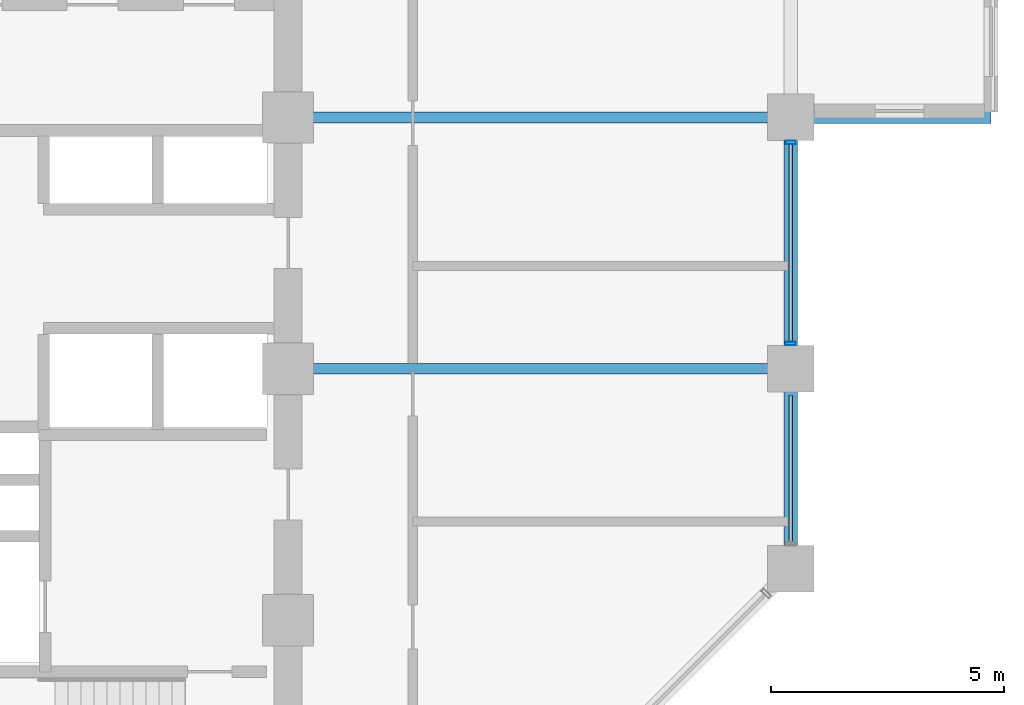
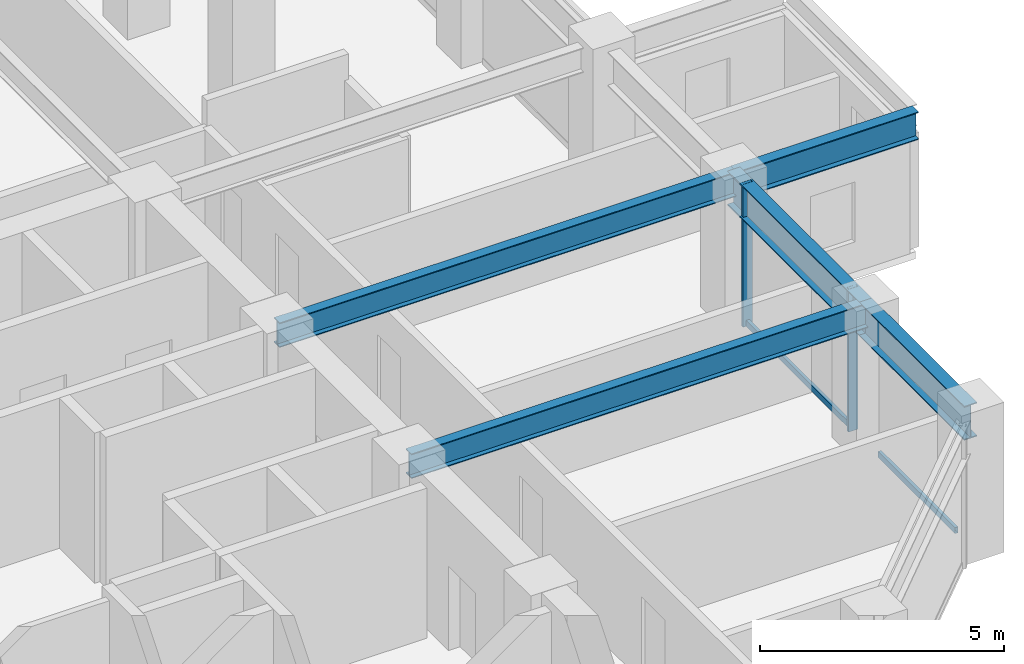
# One storey, part 9 of 29: 5 beams, 4 members, 1 element without a shape of its own.
"""IFC4 building model written with IfcOpenShell, lengths in metres."""

from ifc_helpers import new_model, si_unit, direction, frame, origin, origin_2d, place, context, subcontext, project, spatial, hollow_rectangle, i_section, extrude, material, layer, layer_set, material_profile, profile_set, type_object, element, aggregate, save


model = new_model("IFC4")

# Units and contexts
model_context = context("Model", 3, precision=1e-05, world=origin(), true_north=direction((0.0, 1.0)))
body_context = subcontext(model_context, "Body", "Model", "MODEL_VIEW")
ifc_project = project(units=[si_unit("LENGTHUNIT", "METRE"), si_unit("AREAUNIT", "SQUARE_METRE"), si_unit("VOLUMEUNIT", "CUBIC_METRE"), si_unit("PLANEANGLEUNIT", "RADIAN"), si_unit("MASSUNIT", "GRAM", prefix="KILO")], contexts=[model_context])

# Site, building, storey
site_placement = place(None, origin())
site = spatial("IfcSite", under=ifc_project, at=site_placement, CompositionType="ELEMENT")
building_placement = place(site_placement, origin())
building = spatial("IfcBuilding", under=site, at=building_placement, Name="Surkhivell Harbour Commons", CompositionType="ELEMENT")
storey_placement = place(building_placement, frame((0.0, 0.0, 154.5)))
storey = spatial("IfcBuildingStorey", under=building, at=storey_placement, Name="L40", CompositionType="ELEMENT", Elevation=154.5)

# Beams
ifc_material_1 = material(Name="Steel S460", Category="steel")
ifc_material_profile_1 = material_profile(ifc_material_1, i_section(OverallWidth=0.256103515625, OverallDepth=0.693115234375, WebThickness=0.014404296875, FlangeThickness=0.023681640625, at=origin_2d()), Name="UB686x254x170")
ifc_profile_set_1 = profile_set([ifc_material_profile_1], Name="Steel S460")
beam_type_1 = type_object("IfcBeamType", Name="BM-CNT-686", PredefinedType="BEAM", material=ifc_profile_set_1)
beam_1_placement = place(storey_placement, frame((21.60009765625, 5.39990234375, 3.223388671875), z_axis=(1.0, 0.0, 0.0), x_axis=(0.0, 1.0, 0.0)))
element("IfcBeam", 1, at=beam_1_placement, inside=storey, type_object=beam_type_1, Name="L40 Box Cantilever Outrigger (21.6,5.4)", PredefinedType="BEAM", context=body_context, shape_type="SweptSolid", body=[
    extrude(i_section(OverallWidth=0.256103515625, OverallDepth=0.693115234375, WebThickness=0.014404296875, FlangeThickness=0.023681640625, at=origin_2d()), origin(), (0.0, 0.0, 1.0), 4.2998046875),
])
ifc_material_2 = material(Name="Steel S355", Category="steel")
ifc_material_profile_2 = material_profile(ifc_material_2, i_section(OverallWidth=0.22998046875, OverallDepth=0.616943359375, WebThickness=0.01318359375, FlangeThickness=0.022216796875, at=origin_2d()), Name="UB610x229x140")
ifc_profile_set_2 = profile_set([ifc_material_profile_2], Name="Steel S355")
beam_type_2 = type_object("IfcBeamType", Name="BM-GRD-610B", PredefinedType="BEAM", material=ifc_profile_set_2)
for number, where, z_axis, x_axis, name in (
    (2, (10.800048828125, 5.39990234375, 3.261474609375), (1.0, 0.0, 0.0), (0.0, 1.0, 0.0), "L40 Cantilever Back-Span Girder (10.8,5.4)"),
    (3, (10.800048828125, 0.0, 3.261474609375), (1.0, 0.0, 0.0), (0.0, 1.0, 0.0), "L40 Floor Girder (10.8,0.0)"),
):
    element("IfcBeam", number, at=place(storey_placement, frame(where, z_axis=z_axis, x_axis=x_axis)), inside=storey, type_object=beam_type_2, Name=name, PredefinedType="BEAM", context=body_context, shape_type="SweptSolid", body=[
        extrude(i_section(OverallWidth=0.22998046875, OverallDepth=0.616943359375, WebThickness=0.01318359375, FlangeThickness=0.022216796875, at=origin_2d()), origin(), (0.0, 0.0, 1.0), 10.800048828125),
    ])
ifc_material_profile_3 = material_profile(ifc_material_1, i_section(OverallWidth=0.2939453125, OverallDepth=0.85107421875, WebThickness=0.01611328125, FlangeThickness=0.02685546875, at=origin_2d()), Name="UB838x292x226")
ifc_profile_set_3 = profile_set([ifc_material_profile_3], Name="Steel S460")
beam_type_3 = type_object("IfcBeamType", Name="BM-SPN-838", PredefinedType="SPANDREL", material=ifc_profile_set_3)
beam_2_placement = place(storey_placement, frame((21.60009765625, -4.300048828125, 3.14453125), z_axis=(0.0, 1.0, 0.0), x_axis=(-1.0, 0.0, 0.0)))
element("IfcBeam", 4, at=beam_2_placement, inside=storey, type_object=beam_type_3, Name="L40 Tube Spandrel (21.6,-4.3)", PredefinedType="SPANDREL", context=body_context, shape_type="SweptSolid", body=[
    extrude(i_section(OverallWidth=0.2939453125, OverallDepth=0.85107421875, WebThickness=0.01611328125, FlangeThickness=0.02685546875, at=origin_2d()), origin(), (0.0, 0.0, 1.0), 4.300048828125),
])
beam_3_placement = place(storey_placement, frame((21.60009765625, 0.0, 3.14453125), z_axis=(0.0, 1.0, 0.0), x_axis=(-1.0, 0.0, 0.0)))
element("IfcBeam", 5, at=beam_3_placement, inside=storey, type_object=beam_type_3, Name="L40 Tube Spandrel (21.6,0.0)", PredefinedType="SPANDREL", context=body_context, shape_type="SweptSolid", body=[
    extrude(i_section(OverallWidth=0.2939453125, OverallDepth=0.85107421875, WebThickness=0.01611328125, FlangeThickness=0.02685546875, at=origin_2d()), origin(), (0.0, 0.0, 1.0), 5.39990234375),
])

# Curtain wall, members
ifc_material_3 = material(Name="Anodised pale-metal aluminium and insulated glazing", Category="aluminium")
ifc_layer = layer(ifc_material_3, 0.205078125)
ifc_layer_set = layer_set([ifc_layer], Name="Anodised pale-metal aluminium and insulated glazing")
curtain_wall_type = type_object("IfcCurtainWallType", Name="CW-SYS-Z2", PredefinedType="NOTDEFINED", material=ifc_layer_set)
curtain_wall_placement = place(storey_placement, origin())
curtain_wall = element("IfcCurtainWall", 6, at=curtain_wall_placement, inside=storey, type_object=curtain_wall_type, Name="L40 Curtain Wall CW-L40-E02R1", PredefinedType="NOTDEFINED")
ifc_material_4 = material(Name="Anodised pale-metal aluminium alloy 6063-T6", Category="aluminium")
ifc_material_profile_4 = material_profile(ifc_material_4, hollow_rectangle(XDim=0.074951171875, YDim=0.219970703125, WallThickness=0.00390625, at=origin_2d()), Name="ALU-MULL-75x220")
ifc_profile_set_4 = profile_set([ifc_material_profile_4], Name="Anodised pale-metal aluminium alloy 6063-T6")
member_type_1 = type_object("IfcMemberType", Name="CWM-220", PredefinedType="MULLION", material=ifc_profile_set_4)
member_1_placement = place(storey_placement, frame((21.60009765625, 0.53955078125, 0.0), z_axis=(0.0, 0.0, 1.0), x_axis=(0.0, 1.0, 0.0)))
member_1 = element("IfcMember", 7, at=member_1_placement, type_object=member_type_1, Name="CW-Z2 mullion 2", PredefinedType="MULLION", context=body_context, shape_type="SweptSolid", body=[
    extrude(hollow_rectangle(XDim=0.074951171875, YDim=0.219970703125, WallThickness=0.00390625, at=origin_2d()), origin(), (0.0, 0.0, 1.0), 3.570068359375),
])
member_2_placement = place(storey_placement, frame((21.60009765625, 4.860595703125, 0.0), z_axis=(0.0, 0.0, 1.0), x_axis=(0.0, 1.0, 0.0)))
member_2 = element("IfcMember", 8, at=member_2_placement, type_object=member_type_1, Name="CW-Z2 mullion 3", PredefinedType="MULLION", context=body_context, shape_type="SweptSolid", body=[
    extrude(hollow_rectangle(XDim=0.074951171875, YDim=0.219970703125, WallThickness=0.00390625, at=origin_2d()), origin(), (0.0, 0.0, 1.0), 3.570068359375),
])
ifc_material_profile_5 = material_profile(ifc_material_4, hollow_rectangle(XDim=0.074951171875, YDim=0.14990234375, WallThickness=0.00341796875, at=origin_2d()), Name="ALU-TRAN-75x150")
ifc_profile_set_5 = profile_set([ifc_material_profile_5], Name="Anodised pale-metal aluminium alloy 6063-T6")
member_type_2 = type_object("IfcMemberType", Name="CWT-150", PredefinedType="USERDEFINED", material=ifc_profile_set_5)
member_3_placement = place(storey_placement, frame((21.60009765625, -3.722900390625, 0.074951171875), z_axis=(0.0, 1.0, 0.0), x_axis=(-1.0, 0.0, 0.0)))
member_3 = element("IfcMember", 9, at=member_3_placement, type_object=member_type_2, Name="CW-Z2 transom 1.1", ObjectType="TRANSOM", PredefinedType="USERDEFINED", context=body_context, shape_type="SweptSolid", body=[
    extrude(hollow_rectangle(XDim=0.074951171875, YDim=0.14990234375, WallThickness=0.00341796875, at=origin_2d()), origin(), (0.0, 0.0, 1.0), 3.14599609375),
])
member_4_placement = place(storey_placement, frame((21.60009765625, 0.576904296875, 0.074951171875), z_axis=(0.0, 1.0, 0.0), x_axis=(-1.0, 0.0, 0.0)))
member_4 = element("IfcMember", 10, at=member_4_placement, type_object=member_type_2, Name="CW-Z2 transom 2.1", ObjectType="TRANSOM", PredefinedType="USERDEFINED", context=body_context, shape_type="SweptSolid", body=[
    extrude(hollow_rectangle(XDim=0.074951171875, YDim=0.14990234375, WallThickness=0.00341796875, at=origin_2d()), origin(), (0.0, 0.0, 1.0), 4.24609375),
])
aggregate(curtain_wall, [member_3, member_1, member_2, member_4])

save(model, "model.ifc")
